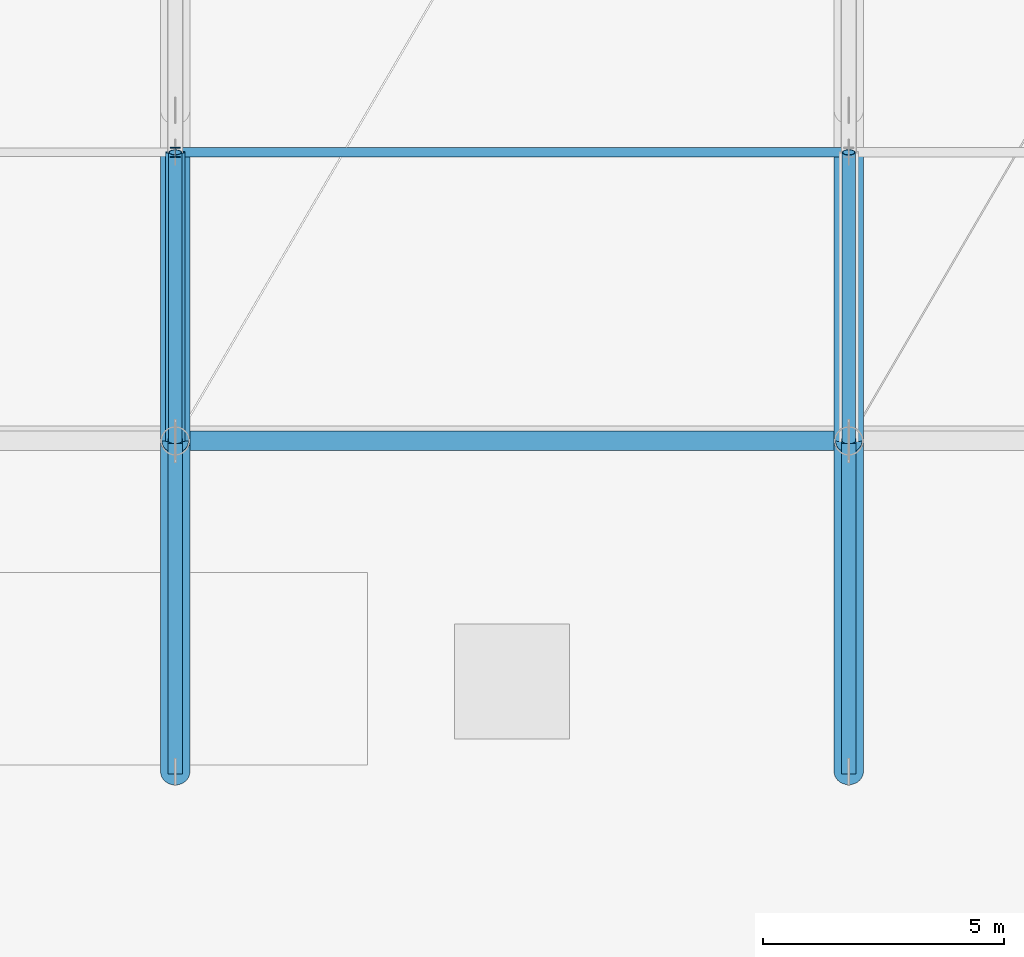
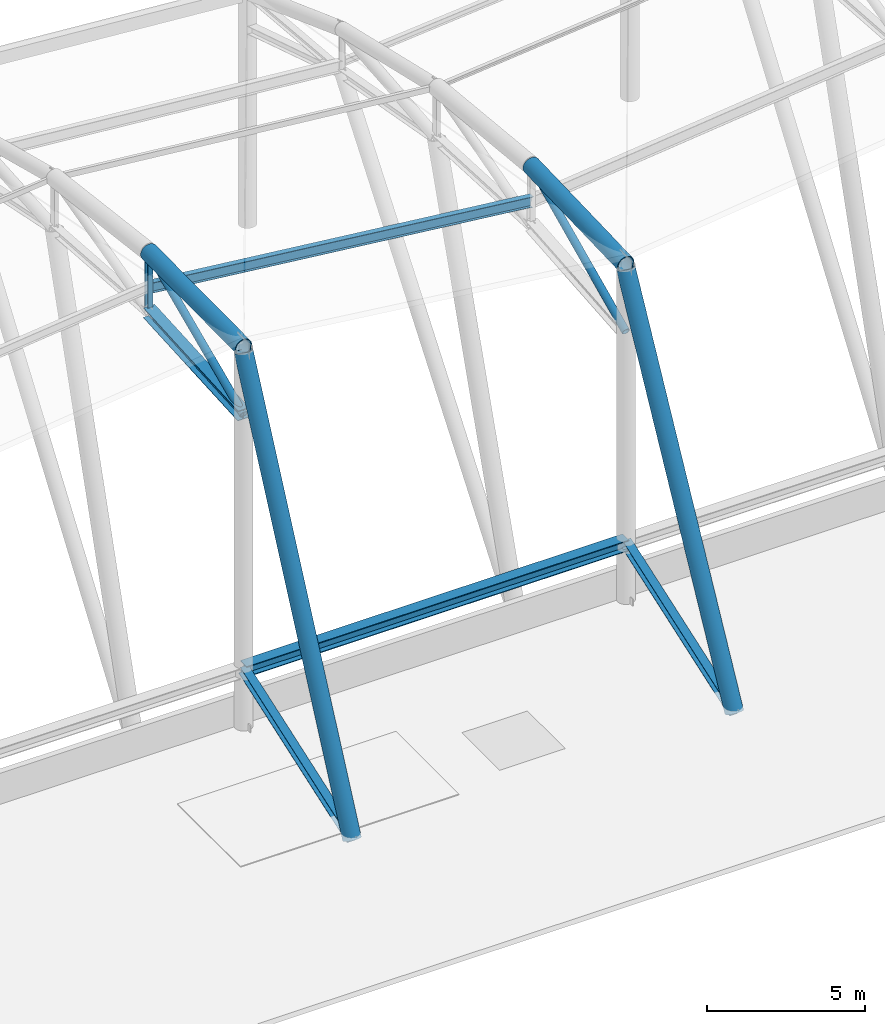
# One storey, part 21 of 90: 11 members, 1 beam.
"""IFC4 building model written with IfcOpenShell, lengths in metres."""

from ifc_helpers import new_model, si_unit, direction, frame, origin, origin_2d, place, context, subcontext, project, spatial, hollow_circle, i_section, extrude, material, material_profile, profile_set, type_object, element, save


model = new_model("IFC4")

# Units and contexts
model_context = context("Model", 3, precision=1e-05, world=origin(), true_north=direction((0.0, 1.0)))
body_context = subcontext(model_context, "Body", "Model", "MODEL_VIEW")
ifc_project = project(units=[si_unit("LENGTHUNIT", "METRE"), si_unit("AREAUNIT", "SQUARE_METRE"), si_unit("VOLUMEUNIT", "CUBIC_METRE"), si_unit("PLANEANGLEUNIT", "RADIAN"), si_unit("MASSUNIT", "GRAM", prefix="KILO")], contexts=[model_context])

# Site, building, storey
site_placement = place(None, origin())
site = spatial("IfcSite", under=ifc_project, at=site_placement, CompositionType="ELEMENT")
building_placement = place(site_placement, origin())
building = spatial("IfcBuilding", under=site, at=building_placement, Name="Linyun Crest Stadium", CompositionType="ELEMENT")
storey_placement = place(building_placement, frame((0.0, 0.0, 21.0)))
storey = spatial("IfcBuildingStorey", under=building, at=storey_placement, Name="L05", CompositionType="ELEMENT", Elevation=21.0)

# Beam
ifc_material_1 = material(Name="Steel Q420C", Category="steel")
ifc_material_profile_1 = material_profile(ifc_material_1, i_section(OverallWidth=0.405029296875, OverallDepth=0.4140625, WebThickness=0.01806640625, FlangeThickness=0.028076171875, at=origin_2d()), Name="HW 414x405")
ifc_profile_set_1 = profile_set([ifc_material_profile_1], Name="Steel Q420C")
beam_type = type_object("IfcBeamType", Name="HB04", PredefinedType="USERDEFINED", material=ifc_profile_set_1)
beam_placement = place(storey_placement, frame((0.0, -73.5, 2.195068359375), z_axis=(1.0, 0.0, 0.0), x_axis=(0.0, 1.0, 0.0)))
element("IfcBeam", 1, at=beam_placement, inside=storey, type_object=beam_type, Name="Roof Outer compression ring beam HB04 V4 42", ObjectType="RING BEAM", PredefinedType="USERDEFINED", context=body_context, shape_type="SweptSolid", body=[
    extrude(i_section(OverallWidth=0.405029296875, OverallDepth=0.4140625, WebThickness=0.01806640625, FlangeThickness=0.028076171875, at=origin_2d()), origin(), (0.0, 0.0, 1.0), 14.0),
])

# Members
ifc_material_2 = material(Name="Steel Q355B", Category="steel")
ifc_material_profile_2 = material_profile(ifc_material_2, i_section(OverallWidth=0.199951171875, OverallDepth=0.39990234375, WebThickness=0.008056640625, FlangeThickness=0.012939453125, at=origin_2d()), Name="HN 400x200")
ifc_profile_set_2 = profile_set([ifc_material_profile_2], Name="Steel Q355B")
member_type_1 = type_object("IfcMemberType", Name="PR03", PredefinedType="PURLIN", material=ifc_profile_set_2)
member_1_placement = place(storey_placement, frame((0.0, -67.5, 13.340087890625), z_axis=(0.993926568658, 0.0, -0.110045336642), x_axis=(0.0, 1.0, 0.0)))
element("IfcMember", 2, at=member_1_placement, inside=storey, type_object=member_type_1, Name="Roof canopy purlin PR03 V4 575", PredefinedType="PURLIN", context=body_context, shape_type="SweptSolid", body=[
    extrude(i_section(OverallWidth=0.199951171875, OverallDepth=0.39990234375, WebThickness=0.008056640625, FlangeThickness=0.012939453125, at=origin_2d()), origin(), (0.0, 0.0, 1.0), 14.08544921875),
])
ifc_material_3 = material(Name="Steel Q420C", Category="steel")
ifc_material_profile_3 = material_profile(ifc_material_3, hollow_circle(Radius=0.304931640625, WallThickness=0.030029296875, at=origin_2d()), Name="CHS 610x30")
ifc_profile_set_3 = profile_set([ifc_material_profile_3], Name="Steel Q420C")
member_type_2 = type_object("IfcMemberType", Name="TC02", PredefinedType="CHORD", material=ifc_profile_set_3)
member_2_placement = place(storey_placement, frame((0.0, -73.5, 14.5), z_axis=(0.0, -0.423524282571, -0.905884750988), x_axis=(1.0, 0.0, 0.0)))
element("IfcMember", 3, at=member_2_placement, inside=storey, type_object=member_type_2, Name="Roof truss back-stay chord TC02 V4 510", PredefinedType="CHORD", context=body_context, shape_type="SweptSolid", body=[
    extrude(hollow_circle(Radius=0.304931640625, WallThickness=0.030029296875, at=origin_2d()), origin(), (0.0, 0.0, 1.0), 16.23291015625),
])
member_3_placement = place(storey_placement, frame((0.0, -73.5, 14.64990234375), z_axis=(0.0, 0.999963840982, 0.008503924266), x_axis=(-1.0, 0.0, 0.0)))
element("IfcMember", 4, at=member_3_placement, inside=storey, type_object=member_type_2, Name="Roof truss top chord TC02 V4 512", PredefinedType="CHORD", context=body_context, shape_type="SweptSolid", body=[
    extrude(hollow_circle(Radius=0.304931640625, WallThickness=0.030029296875, at=origin_2d()), origin(), (0.0, 0.0, 1.0), 6.000244140625),
])
member_4_placement = place(storey_placement, frame((14.0, -73.5, 12.800048828125), z_axis=(0.0, -0.467353097939, -0.88407074482), x_axis=(1.0, 0.0, 0.0)))
element("IfcMember", 5, at=member_4_placement, inside=storey, type_object=member_type_2, Name="Roof truss back-stay chord TC02 V4 529", PredefinedType="CHORD", context=body_context, shape_type="SweptSolid", body=[
    extrude(hollow_circle(Radius=0.304931640625, WallThickness=0.030029296875, at=origin_2d()), origin(), (0.0, 0.0, 1.0), 14.71044921875),
])
member_5_placement = place(storey_placement, frame((14.0, -73.5, 12.949951171875), z_axis=(0.0, 0.999445177762, 0.033306705753), x_axis=(-1.0, 0.0, 0.0)))
element("IfcMember", 6, at=member_5_placement, inside=storey, type_object=member_type_2, Name="Roof truss top chord TC02 V4 531", PredefinedType="CHORD", context=body_context, shape_type="SweptSolid", body=[
    extrude(hollow_circle(Radius=0.304931640625, WallThickness=0.030029296875, at=origin_2d()), origin(), (0.0, 0.0, 1.0), 6.00341796875),
])
ifc_material_4 = material(Name="Steel Q355C", Category="steel")
ifc_material_profile_4 = material_profile(ifc_material_4, i_section(OverallWidth=0.300048828125, OverallDepth=0.300048828125, WebThickness=0.010009765625, FlangeThickness=0.014892578125, at=origin_2d()), Name="HW 300x300")
ifc_profile_set_4 = profile_set([ifc_material_profile_4], Name="Steel Q355C")
member_type_3 = type_object("IfcMemberType", Name="TC03", PredefinedType="CHORD", material=ifc_profile_set_4)
for number, where, z_axis, x_axis, name in (
    (7, (0.0, -73.5, 2.195068359375), (0.0, -0.944119407073, -0.329603618286), (1.0, 0.0, 0.0), "Roof truss lower back-span chord TC03 V4 511"),
    (8, (14.0, -73.5, 2.195068359375), (0.0, -0.944119407073, -0.329603618286), (1.0, 0.0, 0.0), "Roof truss lower back-span chord TC03 V4 530"),
):
    element("IfcMember", number, at=place(storey_placement, frame(where, z_axis=z_axis, x_axis=x_axis)), inside=storey, type_object=member_type_3, Name=name, PredefinedType="CHORD", context=body_context, shape_type="SweptSolid", body=[
        extrude(i_section(OverallWidth=0.300048828125, OverallDepth=0.300048828125, WebThickness=0.010009765625, FlangeThickness=0.014892578125, at=origin_2d()), origin(), (0.0, 0.0, 1.0), 7.281982421875),
    ])
ifc_material_5 = material(Name="Steel Q420C", Category="steel")
ifc_material_profile_5 = material_profile(ifc_material_5, i_section(OverallWidth=0.407958984375, OverallDepth=0.39990234375, WebThickness=0.02099609375, FlangeThickness=0.02099609375, at=origin_2d()), Name="HW 400x408")
ifc_profile_set_5 = profile_set([ifc_material_profile_5], Name="Steel Q420C")
member_type_4 = type_object("IfcMemberType", Name="TC04", PredefinedType="CHORD", material=ifc_profile_set_5)
member_6_placement = place(storey_placement, frame((0.0, -73.5, 12.050048828125), z_axis=(0.0, 0.998174511601, 0.060395731557), x_axis=(-1.0, 0.0, 0.0)))
element("IfcMember", 9, at=member_6_placement, inside=storey, type_object=member_type_4, Name="Roof truss bottom chord TC04 V4 513", PredefinedType="CHORD", context=body_context, shape_type="SweptSolid", body=[
    extrude(i_section(OverallWidth=0.407958984375, OverallDepth=0.39990234375, WebThickness=0.02099609375, FlangeThickness=0.02099609375, at=origin_2d()), origin(), (0.0, 0.0, 1.0), 6.010986328125),
])
ifc_material_6 = material(Name="Steel Q355C", Category="steel")
ifc_material_profile_6 = material_profile(ifc_material_6, hollow_circle(Radius=0.136474609375, WallThickness=0.013916015625, at=origin_2d()), Name="CHS 273x14")
ifc_profile_set_6 = profile_set([ifc_material_profile_6], Name="Steel Q355C")
member_type_5 = type_object("IfcMemberType", Name="TD01", PredefinedType="BRACE", material=ifc_profile_set_6)
member_7_placement = place(storey_placement, frame((0.0, -73.5, 12.050048828125), z_axis=(0.0, 0.914702602644, 0.40412763914), x_axis=(-1.0, 0.0, 0.0)))
element("IfcMember", 10, at=member_7_placement, inside=storey, type_object=member_type_5, Name="Roof truss diagonal TD01 V4 514", PredefinedType="BRACE", context=body_context, shape_type="SweptSolid", body=[
    extrude(hollow_circle(Radius=0.136474609375, WallThickness=0.013916015625, at=origin_2d()), origin(), (0.0, 0.0, 1.0), 6.5595703125),
])
member_8_placement = place(storey_placement, frame((14.0, -73.5, 10.35009765625), z_axis=(0.0, 0.906194443848, 0.422861241945), x_axis=(-1.0, 0.0, 0.0)))
element("IfcMember", 11, at=member_8_placement, inside=storey, type_object=member_type_5, Name="Roof truss diagonal TD01 V4 533", PredefinedType="BRACE", context=body_context, shape_type="SweptSolid", body=[
    extrude(hollow_circle(Radius=0.136474609375, WallThickness=0.013916015625, at=origin_2d()), origin(), (0.0, 0.0, 1.0), 6.62109375),
])
ifc_material_7 = material(Name="Steel Q355C", Category="steel")
ifc_material_profile_7 = material_profile(ifc_material_7, i_section(OverallWidth=0.199951171875, OverallDepth=0.199951171875, WebThickness=0.008056640625, FlangeThickness=0.011962890625, at=origin_2d()), Name="HW 200x200")
ifc_profile_set_7 = profile_set([ifc_material_profile_7], Name="Steel Q355C")
member_type_6 = type_object("IfcMemberType", Name="TV02", PredefinedType="STRUT", material=ifc_profile_set_7)
member_9_placement = place(storey_placement, frame((0.0, -67.5, 12.4130859375), z_axis=(0.0, 0.0, 1.0), x_axis=(1.0, 0.0, 0.0)))
element("IfcMember", 12, at=member_9_placement, inside=storey, type_object=member_type_6, Name="Roof vertical strut TV02 V4 518", PredefinedType="STRUT", context=body_context, shape_type="SweptSolid", body=[
    extrude(i_section(OverallWidth=0.199951171875, OverallDepth=0.199951171875, WebThickness=0.008056640625, FlangeThickness=0.011962890625, at=origin_2d()), origin(), (0.0, 0.0, 1.0), 2.287841796875),
])

save(model, "model.ifc")
